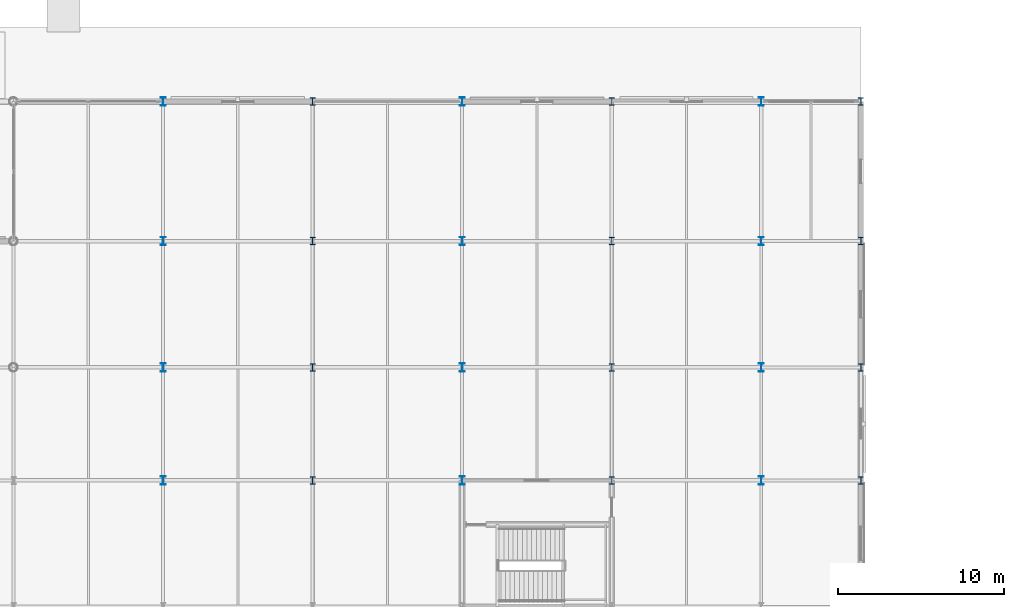
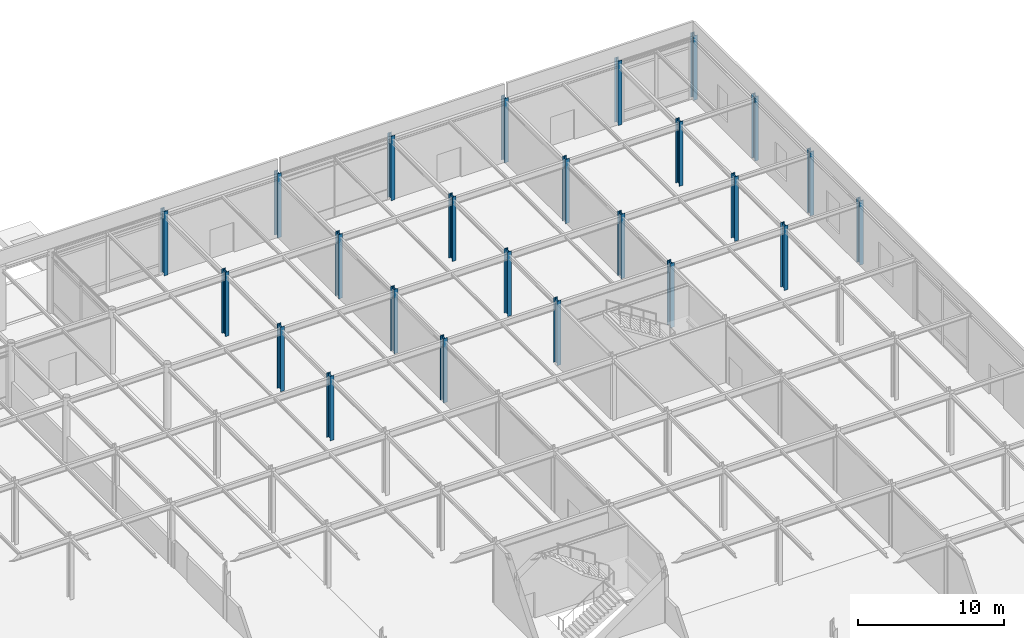
# One storey, part 20 of 89: 24 columns.
"""IFC4 building model written with IfcOpenShell, lengths in metres."""

from ifc_helpers import new_model, si_unit, direction, frame, origin, origin_2d, place, context, subcontext, project, spatial, i_section, extrude, material, material_profile, profile_set, type_object, element, save


model = new_model("IFC4")

# Units and contexts
model_context = context("Model", 3, precision=1e-05, world=origin(), true_north=direction((0.0, 1.0)))
body_context = subcontext(model_context, "Body", "Model", "MODEL_VIEW")
ifc_project = project(units=[si_unit("LENGTHUNIT", "METRE"), si_unit("AREAUNIT", "SQUARE_METRE"), si_unit("VOLUMEUNIT", "CUBIC_METRE"), si_unit("PLANEANGLEUNIT", "RADIAN"), si_unit("MASSUNIT", "GRAM", prefix="KILO")], contexts=[model_context])

# Site, building, storey
site_placement = place(None, origin())
site = spatial("IfcSite", under=ifc_project, at=site_placement, CompositionType="ELEMENT")
building_placement = place(site_placement, origin())
building = spatial("IfcBuilding", under=site, at=building_placement, Name="Shalkamar Park Central Library", CompositionType="ELEMENT")
storey_placement = place(building_placement, origin())
storey = spatial("IfcBuildingStorey", under=building, at=storey_placement, Name="L01", CompositionType="ELEMENT", Elevation=0.0)

# Columns
ifc_material = material(Name="Steel S355", Category="steel")
ifc_material_profile_1 = material_profile(ifc_material, i_section(OverallWidth=0.300048828125, OverallDepth=0.449951171875, WebThickness=0.013916015625, FlangeThickness=0.02587890625, FilletRadius=0.027099609375, at=origin_2d()), Name="HEB 450")
ifc_profile_set_1 = profile_set([ifc_material_profile_1], Name="Steel S355")
column_type_1 = type_object("IfcColumnType", Name="Column Steel HEB450", PredefinedType="COLUMN", material=ifc_profile_set_1)
for number, where, z_axis, x_axis, name in (
    (1, (255.0, 331.199951171875, 0.0), (0.0, 0.0, 1.0), (1.0, 0.0, 0.0), "Column 18/N (L01)"),
    (2, (255.0, 338.0, 0.0), (0.0, 0.0, 1.0), (1.0, 0.0, 0.0), "Column 18/P (L01)"),
    (3, (255.0, 345.60009765625, 0.0), (0.0, 0.0, 1.0), (1.0, 0.0, 0.0), "Column 18/Q (L01)"),
    (4, (255.0, 354.0, 0.0), (0.0, 0.0, 1.0), (1.0, 0.0, 0.0), "Column 18/R (L01)"),
    (5, (273.0, 331.199951171875, 0.0), (0.0, 0.0, 1.0), (1.0, 0.0, 0.0), "Column 20/N (L01)"),
    (6, (273.0, 338.0, 0.0), (0.0, 0.0, 1.0), (1.0, 0.0, 0.0), "Column 20/P (L01)"),
    (7, (273.0, 345.60009765625, 0.0), (0.0, 0.0, 1.0), (1.0, 0.0, 0.0), "Column 20/Q (L01)"),
    (8, (273.0, 354.0, 0.0), (0.0, 0.0, 1.0), (1.0, 0.0, 0.0), "Column 20/R (L01)"),
    (9, (288.0, 331.199951171875, 0.0), (0.0, 0.0, 1.0), (1.0, 0.0, 0.0), "Column 22/N (L01)"),
    (10, (288.0, 338.0, 0.0), (0.0, 0.0, 1.0), (1.0, 0.0, 0.0), "Column 22/P (L01)"),
    (11, (288.0, 345.60009765625, 0.0), (0.0, 0.0, 1.0), (1.0, 0.0, 0.0), "Column 22/Q (L01)"),
    (12, (288.0, 354.0, 0.0), (0.0, 0.0, 1.0), (1.0, 0.0, 0.0), "Column 22/R (L01)"),
):
    element("IfcColumn", number, at=place(storey_placement, frame(where, z_axis=z_axis, x_axis=x_axis)), inside=storey, type_object=column_type_1, Name=name, PredefinedType="COLUMN", context=body_context, shape_type="SweptSolid", body=[
        extrude(i_section(OverallWidth=0.300048828125, OverallDepth=0.449951171875, WebThickness=0.013916015625, FlangeThickness=0.02587890625, FilletRadius=0.027099609375, at=origin_2d()), origin(), (0.0, 0.0, 1.0), 5.39990234375),
    ])
ifc_material_profile_2 = material_profile(ifc_material, i_section(OverallWidth=0.300048828125, OverallDepth=0.5, WebThickness=0.014404296875, FlangeThickness=0.028076171875, FilletRadius=0.027099609375, at=origin_2d()), Name="HEB 500")
ifc_profile_set_2 = profile_set([ifc_material_profile_2], Name="Steel S355")
column_type_2 = type_object("IfcColumnType", Name="Column Steel HEB500", PredefinedType="COLUMN", material=ifc_profile_set_2)
for number, where, z_axis, x_axis, name in (
    (13, (246.0, 331.199951171875, 0.0), (0.0, 0.0, 1.0), (1.0, 0.0, 0.0), "Column 17/N (L01)"),
    (14, (246.0, 338.0, 0.0), (0.0, 0.0, 1.0), (1.0, 0.0, 0.0), "Column 17/P (L01)"),
    (15, (246.0, 345.60009765625, 0.0), (0.0, 0.0, 1.0), (1.0, 0.0, 0.0), "Column 17/Q (L01)"),
    (16, (246.0, 354.0, 0.0), (0.0, 0.0, 1.0), (1.0, 0.0, 0.0), "Column 17/R (L01)"),
    (17, (264.0, 331.199951171875, 0.0), (0.0, 0.0, 1.0), (1.0, 0.0, 0.0), "Column 19/N (L01)"),
    (18, (264.0, 338.0, 0.0), (0.0, 0.0, 1.0), (1.0, 0.0, 0.0), "Column 19/P (L01)"),
    (19, (264.0, 345.60009765625, 0.0), (0.0, 0.0, 1.0), (1.0, 0.0, 0.0), "Column 19/Q (L01)"),
    (20, (264.0, 354.0, 0.0), (0.0, 0.0, 1.0), (1.0, 0.0, 0.0), "Column 19/R (L01)"),
    (21, (282.0, 331.199951171875, 0.0), (0.0, 0.0, 1.0), (1.0, 0.0, 0.0), "Column 21/N (L01)"),
    (22, (282.0, 338.0, 0.0), (0.0, 0.0, 1.0), (1.0, 0.0, 0.0), "Column 21/P (L01)"),
    (23, (282.0, 345.60009765625, 0.0), (0.0, 0.0, 1.0), (1.0, 0.0, 0.0), "Column 21/Q (L01)"),
    (24, (282.0, 354.0, 0.0), (0.0, 0.0, 1.0), (1.0, 0.0, 0.0), "Column 21/R (L01)"),
):
    element("IfcColumn", number, at=place(storey_placement, frame(where, z_axis=z_axis, x_axis=x_axis)), inside=storey, type_object=column_type_2, Name=name, PredefinedType="COLUMN", context=body_context, shape_type="SweptSolid", body=[
        extrude(i_section(OverallWidth=0.300048828125, OverallDepth=0.5, WebThickness=0.014404296875, FlangeThickness=0.028076171875, FilletRadius=0.027099609375, at=origin_2d()), origin(), (0.0, 0.0, 1.0), 5.39990234375),
    ])

save(model, "model.ifc")
